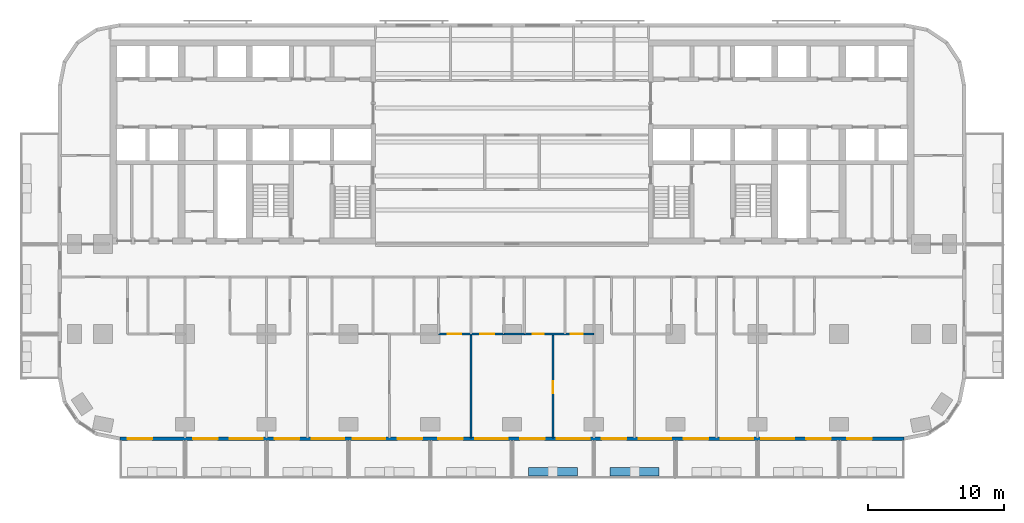
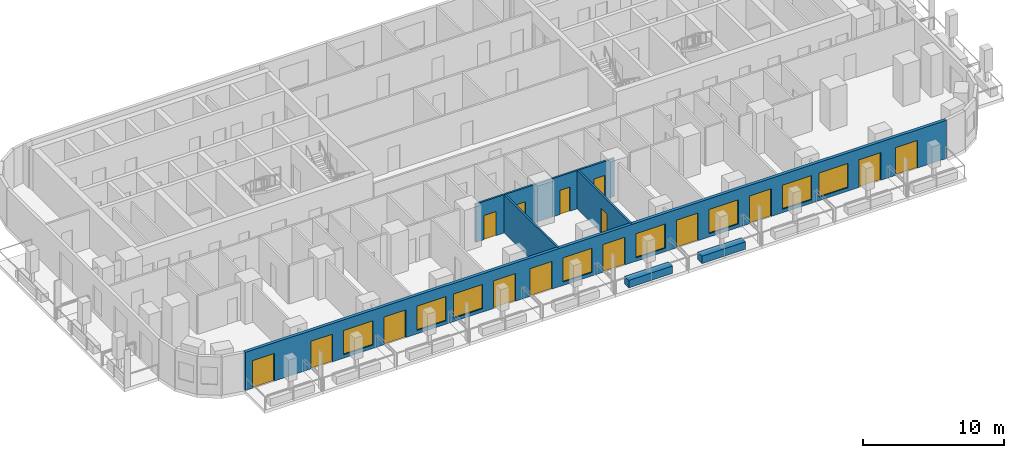
# One storey, part 5 of 14: 15 doors, 8 walls, 8 windows, 23 openings.
"""IFC4 building model written with IfcOpenShell, lengths in metres."""

from ifc_helpers import new_model, si_unit, direction, frame, frame_2d, origin, place, context, subcontext, project, spatial, rectangle, extrude, material, layer, layer_set, type_object, element, fill, save


model = new_model("IFC4")

# Units and contexts
model_context = context("Model", 3, precision=1e-05, world=origin(), true_north=direction((0.0, 1.0)))
body_context = subcontext(model_context, "Body", "Model", "MODEL_VIEW")
ifc_project = project(units=[si_unit("LENGTHUNIT", "METRE"), si_unit("AREAUNIT", "SQUARE_METRE"), si_unit("VOLUMEUNIT", "CUBIC_METRE"), si_unit("PLANEANGLEUNIT", "RADIAN"), si_unit("MASSUNIT", "GRAM", prefix="KILO")], contexts=[model_context])

# Site, building, storey
site_placement = place(None, origin())
site = spatial("IfcSite", under=ifc_project, at=site_placement, CompositionType="ELEMENT")
building_placement = place(site_placement, origin())
building = spatial("IfcBuilding", under=site, at=building_placement, Name="Torana Hotel and Residences", CompositionType="ELEMENT")
storey_placement = place(building_placement, frame((0.0, 0.0, 85.199951171875)))
storey = spatial("IfcBuildingStorey", under=building, at=storey_placement, Name="L21", CompositionType="ELEMENT", Elevation=85.199951171875)

# Wall, openings, doors, windows
ifc_material_1 = material(Name="Black aluminium composite panel", Category="aluminium")
ifc_layer_1 = layer(ifc_material_1, 0.00390625, Name="Cladding", Category="cladding")
ifc_material_2 = material(Name="Ventilated air cavity")
ifc_layer_2 = layer(ifc_material_2, 0.0400390625, Name="Ventilated cavity", Category="cavity")
ifc_material_3 = material(Name="Mineral wool insulation")
ifc_layer_3 = layer(ifc_material_3, 0.090087890625, Name="Insulation", Category="insulation")
ifc_material_4 = material(Name="Steel S280GD", Category="steel")
ifc_layer_4 = layer(ifc_material_4, 0.092041015625, Name="Steel stud frame", Category="structure")
ifc_material_5 = material(Name="Fire rated plasterboard")
ifc_layer_5 = layer(ifc_material_5, 0.011962890625, Name="Inner board", Category="finish")
ifc_layer_6 = layer(ifc_material_5, 0.011962890625, Name="Second board", Category="finish")
ifc_layer_set_1 = layer_set([ifc_layer_1, ifc_layer_2, ifc_layer_3, ifc_layer_4, ifc_layer_5, ifc_layer_6], Name="EW1 EXTERNAL WALL BLACK METAL CLAD 250")
wall_type_1 = type_object("IfcWallType", Name="EW1 EXTERNAL WALL BLACK METAL CLAD 250", PredefinedType="SOLIDWALL", material=ifc_layer_set_1)
wall_1_placement = place(storey_placement, frame((-28.775390625, -29.27490234375, 0.0), z_axis=(0.0, 0.0, 1.0), x_axis=(1.0, 0.0, 0.0)))
wall_1 = element("IfcWall", 1, at=wall_1_placement, inside=storey, type_object=wall_type_1, Name="External wall L21 e0.14", PredefinedType="SOLIDWALL", context=body_context, shape_type="SweptSolid", body=[
    extrude(rectangle(XDim=57.55078125, YDim=0.25, at=frame_2d((28.775390625, 0.0))), origin(), (0.0, 0.0, 1.0), 3.320068359375),
])
opening_1_placement = place(wall_1_placement, frame((0.575439453125, 0.0, 0.0)))
opening_1 = element("IfcOpeningElement", 2, at=opening_1_placement, cuts=wall_1, Name="Opening L21-E01", PredefinedType="OPENING", context=body_context, shape_type="SweptSolid", body=[
    extrude(rectangle(XDim=1.800048828125, YDim=2.39990234375, at=frame_2d((0.89990234375, 1.199951171875))), frame((0.0, 0.135009765625, 0.0), z_axis=(0.0, -1.0, 0.0), x_axis=(1.0, 0.0, 0.0)), (0.0, 0.0, 1.0), 0.27001953125),
])
opening_2_placement = place(wall_1_placement, frame((5.37548828125, 0.0, 0.0)))
opening_2 = element("IfcOpeningElement", 3, at=opening_2_placement, cuts=wall_1, Name="Opening L21-E02", PredefinedType="OPENING", context=body_context, shape_type="SweptSolid", body=[
    extrude(rectangle(XDim=1.800048828125, YDim=2.39990234375, at=frame_2d((0.89990234375, 1.199951171875))), frame((0.0, 0.135009765625, 0.0), z_axis=(0.0, -1.0, 0.0), x_axis=(1.0, 0.0, 0.0)), (0.0, 0.0, 1.0), 0.27001953125),
])
opening_3_placement = place(wall_1_placement, frame((8.075439453125, 0.0, 0.300048828125)))
opening_3 = element("IfcOpeningElement", 4, at=opening_3_placement, cuts=wall_1, Name="Opening W1", PredefinedType="OPENING", context=body_context, shape_type="SweptSolid", body=[
    extrude(rectangle(XDim=2.39990234375, YDim=2.10009765625, at=frame_2d((1.199951171875, 1.050048828125))), frame((0.0, 0.135009765625, 0.0), z_axis=(0.0, -1.0, 0.0), x_axis=(1.0, 0.0, 0.0)), (0.0, 0.0, 1.0), 0.27001953125),
])
opening_4_placement = place(wall_1_placement, frame((11.37548828125, 0.0, 0.0)))
opening_4 = element("IfcOpeningElement", 5, at=opening_4_placement, cuts=wall_1, Name="Opening L21-E03", PredefinedType="OPENING", context=body_context, shape_type="SweptSolid", body=[
    extrude(rectangle(XDim=1.800048828125, YDim=2.39990234375, at=frame_2d((0.89990234375, 1.199951171875))), frame((0.0, 0.135009765625, 0.0), z_axis=(0.0, -1.0, 0.0), x_axis=(1.0, 0.0, 0.0)), (0.0, 0.0, 1.0), 0.27001953125),
])
opening_5_placement = place(wall_1_placement, frame((14.075439453125, 0.0, 0.300048828125)))
opening_5 = element("IfcOpeningElement", 6, at=opening_5_placement, cuts=wall_1, Name="Opening W1", PredefinedType="OPENING", context=body_context, shape_type="SweptSolid", body=[
    extrude(rectangle(XDim=2.39990234375, YDim=2.10009765625, at=frame_2d((1.199951171875, 1.050048828125))), frame((0.0, 0.135009765625, 0.0), z_axis=(0.0, -1.0, 0.0), x_axis=(1.0, 0.0, 0.0)), (0.0, 0.0, 1.0), 0.27001953125),
])
opening_6_placement = place(wall_1_placement, frame((17.075439453125, 0.0, 0.300048828125)))
opening_6 = element("IfcOpeningElement", 7, at=opening_6_placement, cuts=wall_1, Name="Opening W1", PredefinedType="OPENING", context=body_context, shape_type="SweptSolid", body=[
    extrude(rectangle(XDim=2.39990234375, YDim=2.10009765625, at=frame_2d((1.199951171875, 1.050048828125))), frame((0.0, 0.135009765625, 0.0), z_axis=(0.0, -1.0, 0.0), x_axis=(1.0, 0.0, 0.0)), (0.0, 0.0, 1.0), 0.27001953125),
])
opening_7_placement = place(wall_1_placement, frame((20.37548828125, 0.0, 0.0)))
opening_7 = element("IfcOpeningElement", 8, at=opening_7_placement, cuts=wall_1, Name="Opening L21-E04", PredefinedType="OPENING", context=body_context, shape_type="SweptSolid", body=[
    extrude(rectangle(XDim=1.800048828125, YDim=2.39990234375, at=frame_2d((0.89990234375, 1.199951171875))), frame((0.0, 0.135009765625, 0.0), z_axis=(0.0, -1.0, 0.0), x_axis=(1.0, 0.0, 0.0)), (0.0, 0.0, 1.0), 0.27001953125),
])
opening_8_placement = place(wall_1_placement, frame((23.37548828125, 0.0, 0.0)))
opening_8 = element("IfcOpeningElement", 9, at=opening_8_placement, cuts=wall_1, Name="Opening L21-E05", PredefinedType="OPENING", context=body_context, shape_type="SweptSolid", body=[
    extrude(rectangle(XDim=1.800048828125, YDim=2.39990234375, at=frame_2d((0.89990234375, 1.199951171875))), frame((0.0, 0.135009765625, 0.0), z_axis=(0.0, -1.0, 0.0), x_axis=(1.0, 0.0, 0.0)), (0.0, 0.0, 1.0), 0.27001953125),
])
opening_9_placement = place(wall_1_placement, frame((26.075439453125, 0.0, 0.300048828125)))
opening_9 = element("IfcOpeningElement", 10, at=opening_9_placement, cuts=wall_1, Name="Opening W1", PredefinedType="OPENING", context=body_context, shape_type="SweptSolid", body=[
    extrude(rectangle(XDim=2.39990234375, YDim=2.10009765625, at=frame_2d((1.199951171875, 1.050048828125))), frame((0.0, 0.135009765625, 0.0), z_axis=(0.0, -1.0, 0.0), x_axis=(1.0, 0.0, 0.0)), (0.0, 0.0, 1.0), 0.27001953125),
])
opening_10_placement = place(wall_1_placement, frame((29.37548828125, 0.0, 0.0)))
opening_10 = element("IfcOpeningElement", 11, at=opening_10_placement, cuts=wall_1, Name="Opening L21-E06", PredefinedType="OPENING", context=body_context, shape_type="SweptSolid", body=[
    extrude(rectangle(XDim=1.800048828125, YDim=2.39990234375, at=frame_2d((0.89990234375, 1.199951171875))), frame((0.0, 0.135009765625, 0.0), z_axis=(0.0, -1.0, 0.0), x_axis=(1.0, 0.0, 0.0)), (0.0, 0.0, 1.0), 0.27001953125),
])
opening_11_placement = place(wall_1_placement, frame((32.075439453125, 0.0, 0.300048828125)))
opening_11 = element("IfcOpeningElement", 12, at=opening_11_placement, cuts=wall_1, Name="Opening W1", PredefinedType="OPENING", context=body_context, shape_type="SweptSolid", body=[
    extrude(rectangle(XDim=2.39990234375, YDim=2.10009765625, at=frame_2d((1.199951171875, 1.050048828125))), frame((0.0, 0.135009765625, 0.0), z_axis=(0.0, -1.0, 0.0), x_axis=(1.0, 0.0, 0.0)), (0.0, 0.0, 1.0), 0.27001953125),
])
opening_12_placement = place(wall_1_placement, frame((35.37548828125, 0.0, 0.0)))
opening_12 = element("IfcOpeningElement", 13, at=opening_12_placement, cuts=wall_1, Name="Opening L21-E07", PredefinedType="OPENING", context=body_context, shape_type="SweptSolid", body=[
    extrude(rectangle(XDim=1.800048828125, YDim=2.39990234375, at=frame_2d((0.89990234375, 1.199951171875))), frame((0.0, 0.135009765625, 0.0), z_axis=(0.0, -1.0, 0.0), x_axis=(1.0, 0.0, 0.0)), (0.0, 0.0, 1.0), 0.27001953125),
])
opening_13_placement = place(wall_1_placement, frame((38.075439453125, 0.0, 0.300048828125)))
opening_13 = element("IfcOpeningElement", 14, at=opening_13_placement, cuts=wall_1, Name="Opening W1", PredefinedType="OPENING", context=body_context, shape_type="SweptSolid", body=[
    extrude(rectangle(XDim=2.39990234375, YDim=2.10009765625, at=frame_2d((1.199951171875, 1.050048828125))), frame((0.0, 0.135009765625, 0.0), z_axis=(0.0, -1.0, 0.0), x_axis=(1.0, 0.0, 0.0)), (0.0, 0.0, 1.0), 0.27001953125),
])
opening_14_placement = place(wall_1_placement, frame((41.37548828125, 0.0, 0.0)))
opening_14 = element("IfcOpeningElement", 15, at=opening_14_placement, cuts=wall_1, Name="Opening L21-E08", PredefinedType="OPENING", context=body_context, shape_type="SweptSolid", body=[
    extrude(rectangle(XDim=1.800048828125, YDim=2.39990234375, at=frame_2d((0.89990234375, 1.199951171875))), frame((0.0, 0.135009765625, 0.0), z_axis=(0.0, -1.0, 0.0), x_axis=(1.0, 0.0, 0.0)), (0.0, 0.0, 1.0), 0.27001953125),
])
opening_15_placement = place(wall_1_placement, frame((44.075439453125, 0.0, 0.300048828125)))
opening_15 = element("IfcOpeningElement", 16, at=opening_15_placement, cuts=wall_1, Name="Opening W1", PredefinedType="OPENING", context=body_context, shape_type="SweptSolid", body=[
    extrude(rectangle(XDim=2.39990234375, YDim=2.10009765625, at=frame_2d((1.199951171875, 1.050048828125))), frame((0.0, 0.135009765625, 0.0), z_axis=(0.0, -1.0, 0.0), x_axis=(1.0, 0.0, 0.0)), (0.0, 0.0, 1.0), 0.27001953125),
])
opening_16_placement = place(wall_1_placement, frame((47.075439453125, 0.0, 0.300048828125)))
opening_16 = element("IfcOpeningElement", 17, at=opening_16_placement, cuts=wall_1, Name="Opening W1", PredefinedType="OPENING", context=body_context, shape_type="SweptSolid", body=[
    extrude(rectangle(XDim=2.39990234375, YDim=2.10009765625, at=frame_2d((1.199951171875, 1.050048828125))), frame((0.0, 0.135009765625, 0.0), z_axis=(0.0, -1.0, 0.0), x_axis=(1.0, 0.0, 0.0)), (0.0, 0.0, 1.0), 0.27001953125),
])
opening_17_placement = place(wall_1_placement, frame((50.37548828125, 0.0, 0.0)))
opening_17 = element("IfcOpeningElement", 18, at=opening_17_placement, cuts=wall_1, Name="Opening L21-E09", PredefinedType="OPENING", context=body_context, shape_type="SweptSolid", body=[
    extrude(rectangle(XDim=1.800048828125, YDim=2.39990234375, at=frame_2d((0.89990234375, 1.199951171875))), frame((0.0, 0.135009765625, 0.0), z_axis=(0.0, -1.0, 0.0), x_axis=(1.0, 0.0, 0.0)), (0.0, 0.0, 1.0), 0.27001953125),
])
opening_18_placement = place(wall_1_placement, frame((53.37548828125, 0.0, 0.0)))
opening_18 = element("IfcOpeningElement", 19, at=opening_18_placement, cuts=wall_1, Name="Opening L21-E10", PredefinedType="OPENING", context=body_context, shape_type="SweptSolid", body=[
    extrude(rectangle(XDim=1.800048828125, YDim=2.39990234375, at=frame_2d((0.89990234375, 1.199951171875))), frame((0.0, 0.135009765625, 0.0), z_axis=(0.0, -1.0, 0.0), x_axis=(1.0, 0.0, 0.0)), (0.0, 0.0, 1.0), 0.27001953125),
])
ifc_material_6 = material(Name="Dark glass in black aluminium frame", Category="aluminium")
door_type_1 = type_object("IfcDoorType", Name="DB1 BALCONY DOOR 1800x2400", OperationType="DOUBLE_DOOR_SINGLE_SWING", PredefinedType="DOOR", material=ifc_material_6)
door_1_placement = place(opening_1_placement, origin())
door_1 = element("IfcDoor", 20, at=door_1_placement, inside=storey, type_object=door_type_1, Name="Balcony door L21", OperationType="DOUBLE_DOOR_SINGLE_SWING", OverallHeight=2.39990234375, OverallWidth=1.800048828125, PredefinedType="DOOR", context=body_context, shape_type="SweptSolid", body=[
    extrude(rectangle(XDim=1.800048828125, YDim=2.39990234375, at=frame_2d((0.89990234375, 1.199951171875))), frame((0.0, 0.02490234375, 0.0), z_axis=(0.0, -1.0, 0.0), x_axis=(1.0, 0.0, 0.0)), (0.0, 0.0, 1.0), 0.050048828125),
])
fill(opening_1, door_1)
door_2_placement = place(opening_2_placement, frame((0.89990234375, 0.0, 0.0), z_axis=(0.0, 0.0, 1.0), x_axis=(-1.0, 0.0, 0.0)))
door_2 = element("IfcDoor", 21, at=door_2_placement, inside=storey, type_object=door_type_1, Name="Balcony door L21", OperationType="DOUBLE_DOOR_SINGLE_SWING", OverallHeight=2.39990234375, OverallWidth=1.800048828125, PredefinedType="DOOR", context=body_context, shape_type="SweptSolid", body=[
    extrude(rectangle(XDim=1.800048828125, YDim=2.39990234375, at=frame_2d((0.0, 1.199951171875))), frame((0.0, -0.02490234375, 0.0), z_axis=(0.0, 1.0, 0.0), x_axis=(-1.0, 0.0, 0.0)), (0.0, 0.0, 1.0), 0.050048828125),
])
fill(opening_2, door_2)
door_3_placement = place(opening_4_placement, frame((0.89990234375, 0.0, 0.0), z_axis=(0.0, 0.0, 1.0), x_axis=(-1.0, 0.0, 0.0)))
door_3 = element("IfcDoor", 22, at=door_3_placement, inside=storey, type_object=door_type_1, Name="Balcony door L21", OperationType="DOUBLE_DOOR_SINGLE_SWING", OverallHeight=2.39990234375, OverallWidth=1.800048828125, PredefinedType="DOOR", context=body_context, shape_type="SweptSolid", body=[
    extrude(rectangle(XDim=1.800048828125, YDim=2.39990234375, at=frame_2d((0.0, 1.199951171875))), frame((0.0, -0.02490234375, 0.0), z_axis=(0.0, 1.0, 0.0), x_axis=(-1.0, 0.0, 0.0)), (0.0, 0.0, 1.0), 0.050048828125),
])
fill(opening_4, door_3)
door_4_placement = place(opening_7_placement, frame((0.89990234375, 0.0, 0.0), z_axis=(0.0, 0.0, 1.0), x_axis=(-1.0, 0.0, 0.0)))
door_4 = element("IfcDoor", 23, at=door_4_placement, inside=storey, type_object=door_type_1, Name="Balcony door L21", OperationType="DOUBLE_DOOR_SINGLE_SWING", OverallHeight=2.39990234375, OverallWidth=1.800048828125, PredefinedType="DOOR", context=body_context, shape_type="SweptSolid", body=[
    extrude(rectangle(XDim=1.800048828125, YDim=2.39990234375, at=frame_2d((0.0, 1.199951171875))), frame((0.0, -0.02490234375, 0.0), z_axis=(0.0, 1.0, 0.0), x_axis=(-1.0, 0.0, 0.0)), (0.0, 0.0, 1.0), 0.050048828125),
])
fill(opening_7, door_4)
door_5_placement = place(opening_8_placement, frame((0.89990234375, 0.0, 0.0), z_axis=(0.0, 0.0, 1.0), x_axis=(-1.0, 0.0, 0.0)))
door_5 = element("IfcDoor", 24, at=door_5_placement, inside=storey, type_object=door_type_1, Name="Balcony door L21", OperationType="DOUBLE_DOOR_SINGLE_SWING", OverallHeight=2.39990234375, OverallWidth=1.800048828125, PredefinedType="DOOR", context=body_context, shape_type="SweptSolid", body=[
    extrude(rectangle(XDim=1.800048828125, YDim=2.39990234375, at=frame_2d((0.0, 1.199951171875))), frame((0.0, -0.02490234375, 0.0), z_axis=(0.0, 1.0, 0.0), x_axis=(-1.0, 0.0, 0.0)), (0.0, 0.0, 1.0), 0.050048828125),
])
fill(opening_8, door_5)
door_6_placement = place(opening_10_placement, frame((0.89990234375, 0.0, 0.0), z_axis=(0.0, 0.0, 1.0), x_axis=(-1.0, 0.0, 0.0)))
door_6 = element("IfcDoor", 25, at=door_6_placement, inside=storey, type_object=door_type_1, Name="Balcony door L21", OperationType="DOUBLE_DOOR_SINGLE_SWING", OverallHeight=2.39990234375, OverallWidth=1.800048828125, PredefinedType="DOOR", context=body_context, shape_type="SweptSolid", body=[
    extrude(rectangle(XDim=1.800048828125, YDim=2.39990234375, at=frame_2d((0.0, 1.199951171875))), frame((0.0, -0.02490234375, 0.0), z_axis=(0.0, 1.0, 0.0), x_axis=(-1.0, 0.0, 0.0)), (0.0, 0.0, 1.0), 0.050048828125),
])
fill(opening_10, door_6)
door_7_placement = place(opening_12_placement, frame((0.89990234375, 0.0, 0.0), z_axis=(0.0, 0.0, 1.0), x_axis=(-1.0, 0.0, 0.0)))
door_7 = element("IfcDoor", 26, at=door_7_placement, inside=storey, type_object=door_type_1, Name="Balcony door L21", OperationType="DOUBLE_DOOR_SINGLE_SWING", OverallHeight=2.39990234375, OverallWidth=1.800048828125, PredefinedType="DOOR", context=body_context, shape_type="SweptSolid", body=[
    extrude(rectangle(XDim=1.800048828125, YDim=2.39990234375, at=frame_2d((0.0, 1.199951171875))), frame((0.0, -0.02490234375, 0.0), z_axis=(0.0, 1.0, 0.0), x_axis=(-1.0, 0.0, 0.0)), (0.0, 0.0, 1.0), 0.050048828125),
])
fill(opening_12, door_7)
door_8_placement = place(opening_14_placement, frame((0.89990234375, 0.0, 0.0), z_axis=(0.0, 0.0, 1.0), x_axis=(-1.0, 0.0, 0.0)))
door_8 = element("IfcDoor", 27, at=door_8_placement, inside=storey, type_object=door_type_1, Name="Balcony door L21", OperationType="DOUBLE_DOOR_SINGLE_SWING", OverallHeight=2.39990234375, OverallWidth=1.800048828125, PredefinedType="DOOR", context=body_context, shape_type="SweptSolid", body=[
    extrude(rectangle(XDim=1.800048828125, YDim=2.39990234375, at=frame_2d((0.0, 1.199951171875))), frame((0.0, -0.02490234375, 0.0), z_axis=(0.0, 1.0, 0.0), x_axis=(-1.0, 0.0, 0.0)), (0.0, 0.0, 1.0), 0.050048828125),
])
fill(opening_14, door_8)
door_9_placement = place(opening_17_placement, frame((0.89990234375, 0.0, 0.0), z_axis=(0.0, 0.0, 1.0), x_axis=(-1.0, 0.0, 0.0)))
door_9 = element("IfcDoor", 28, at=door_9_placement, inside=storey, type_object=door_type_1, Name="Balcony door L21", OperationType="DOUBLE_DOOR_SINGLE_SWING", OverallHeight=2.39990234375, OverallWidth=1.800048828125, PredefinedType="DOOR", context=body_context, shape_type="SweptSolid", body=[
    extrude(rectangle(XDim=1.800048828125, YDim=2.39990234375, at=frame_2d((0.0, 1.199951171875))), frame((0.0, -0.02490234375, 0.0), z_axis=(0.0, 1.0, 0.0), x_axis=(-1.0, 0.0, 0.0)), (0.0, 0.0, 1.0), 0.050048828125),
])
fill(opening_17, door_9)
door_10_placement = place(opening_18_placement, frame((0.89990234375, 0.0, 0.0), z_axis=(0.0, 0.0, 1.0), x_axis=(-1.0, 0.0, 0.0)))
door_10 = element("IfcDoor", 29, at=door_10_placement, inside=storey, type_object=door_type_1, Name="Balcony door L21", OperationType="DOUBLE_DOOR_SINGLE_SWING", OverallHeight=2.39990234375, OverallWidth=1.800048828125, PredefinedType="DOOR", context=body_context, shape_type="SweptSolid", body=[
    extrude(rectangle(XDim=1.800048828125, YDim=2.39990234375, at=frame_2d((0.0, 1.199951171875))), frame((0.0, -0.02490234375, 0.0), z_axis=(0.0, 1.0, 0.0), x_axis=(-1.0, 0.0, 0.0)), (0.0, 0.0, 1.0), 0.050048828125),
])
fill(opening_18, door_10)
ifc_material_7 = material(Name="Dark glass in black aluminium frame", Category="aluminium")
window_type = type_object("IfcWindowType", Name="W1 HOTEL ROOM WINDOW 2400x2100", PartitioningType="SINGLE_PANEL", PredefinedType="WINDOW", material=ifc_material_7)
window_1_placement = place(opening_3_placement, origin())
window_1 = element("IfcWindow", 30, at=window_1_placement, inside=storey, type_object=window_type, Name="Window L21", OverallHeight=2.10009765625, OverallWidth=2.39990234375, PartitioningType="SINGLE_PANEL", PredefinedType="WINDOW", context=body_context, shape_type="SweptSolid", body=[
    extrude(rectangle(XDim=2.39990234375, YDim=2.10009765625, at=frame_2d((1.199951171875, 1.050048828125))), frame((0.0, 0.030029296875, 0.0), z_axis=(0.0, -1.0, 0.0), x_axis=(1.0, 0.0, 0.0)), (0.0, 0.0, 1.0), 0.06005859375),
])
fill(opening_3, window_1)
window_2_placement = place(opening_5_placement, origin())
window_2 = element("IfcWindow", 31, at=window_2_placement, inside=storey, type_object=window_type, Name="Window L21", OverallHeight=2.10009765625, OverallWidth=2.39990234375, PartitioningType="SINGLE_PANEL", PredefinedType="WINDOW", context=body_context, shape_type="SweptSolid", body=[
    extrude(rectangle(XDim=2.39990234375, YDim=2.10009765625, at=frame_2d((1.199951171875, 1.050048828125))), frame((0.0, 0.030029296875, 0.0), z_axis=(0.0, -1.0, 0.0), x_axis=(1.0, 0.0, 0.0)), (0.0, 0.0, 1.0), 0.06005859375),
])
fill(opening_5, window_2)
window_3_placement = place(opening_6_placement, origin())
window_3 = element("IfcWindow", 32, at=window_3_placement, inside=storey, type_object=window_type, Name="Window L21", OverallHeight=2.10009765625, OverallWidth=2.39990234375, PartitioningType="SINGLE_PANEL", PredefinedType="WINDOW", context=body_context, shape_type="SweptSolid", body=[
    extrude(rectangle(XDim=2.39990234375, YDim=2.10009765625, at=frame_2d((1.199951171875, 1.050048828125))), frame((0.0, 0.030029296875, 0.0), z_axis=(0.0, -1.0, 0.0), x_axis=(1.0, 0.0, 0.0)), (0.0, 0.0, 1.0), 0.06005859375),
])
fill(opening_6, window_3)
window_4_placement = place(opening_9_placement, origin())
window_4 = element("IfcWindow", 33, at=window_4_placement, inside=storey, type_object=window_type, Name="Window L21", OverallHeight=2.10009765625, OverallWidth=2.39990234375, PartitioningType="SINGLE_PANEL", PredefinedType="WINDOW", context=body_context, shape_type="SweptSolid", body=[
    extrude(rectangle(XDim=2.39990234375, YDim=2.10009765625, at=frame_2d((1.199951171875, 1.050048828125))), frame((0.0, 0.030029296875, 0.0), z_axis=(0.0, -1.0, 0.0), x_axis=(1.0, 0.0, 0.0)), (0.0, 0.0, 1.0), 0.06005859375),
])
fill(opening_9, window_4)
window_5_placement = place(opening_11_placement, origin())
window_5 = element("IfcWindow", 34, at=window_5_placement, inside=storey, type_object=window_type, Name="Window L21", OverallHeight=2.10009765625, OverallWidth=2.39990234375, PartitioningType="SINGLE_PANEL", PredefinedType="WINDOW", context=body_context, shape_type="SweptSolid", body=[
    extrude(rectangle(XDim=2.39990234375, YDim=2.10009765625, at=frame_2d((1.199951171875, 1.050048828125))), frame((0.0, 0.030029296875, 0.0), z_axis=(0.0, -1.0, 0.0), x_axis=(1.0, 0.0, 0.0)), (0.0, 0.0, 1.0), 0.06005859375),
])
fill(opening_11, window_5)
window_6_placement = place(opening_13_placement, origin())
window_6 = element("IfcWindow", 35, at=window_6_placement, inside=storey, type_object=window_type, Name="Window L21", OverallHeight=2.10009765625, OverallWidth=2.39990234375, PartitioningType="SINGLE_PANEL", PredefinedType="WINDOW", context=body_context, shape_type="SweptSolid", body=[
    extrude(rectangle(XDim=2.39990234375, YDim=2.10009765625, at=frame_2d((1.199951171875, 1.050048828125))), frame((0.0, 0.030029296875, 0.0), z_axis=(0.0, -1.0, 0.0), x_axis=(1.0, 0.0, 0.0)), (0.0, 0.0, 1.0), 0.06005859375),
])
fill(opening_13, window_6)
window_7_placement = place(opening_15_placement, origin())
window_7 = element("IfcWindow", 36, at=window_7_placement, inside=storey, type_object=window_type, Name="Window L21", OverallHeight=2.10009765625, OverallWidth=2.39990234375, PartitioningType="SINGLE_PANEL", PredefinedType="WINDOW", context=body_context, shape_type="SweptSolid", body=[
    extrude(rectangle(XDim=2.39990234375, YDim=2.10009765625, at=frame_2d((1.199951171875, 1.050048828125))), frame((0.0, 0.030029296875, 0.0), z_axis=(0.0, -1.0, 0.0), x_axis=(1.0, 0.0, 0.0)), (0.0, 0.0, 1.0), 0.06005859375),
])
fill(opening_15, window_7)
window_8_placement = place(opening_16_placement, origin())
window_8 = element("IfcWindow", 37, at=window_8_placement, inside=storey, type_object=window_type, Name="Window L21", OverallHeight=2.10009765625, OverallWidth=2.39990234375, PartitioningType="SINGLE_PANEL", PredefinedType="WINDOW", context=body_context, shape_type="SweptSolid", body=[
    extrude(rectangle(XDim=2.39990234375, YDim=2.10009765625, at=frame_2d((1.199951171875, 1.050048828125))), frame((0.0, 0.030029296875, 0.0), z_axis=(0.0, -1.0, 0.0), x_axis=(1.0, 0.0, 0.0)), (0.0, 0.0, 1.0), 0.06005859375),
])
fill(opening_16, window_8)

# Wall, openings, doors
ifc_material_8 = material(Name="Gypsum plaster")
ifc_layer_7 = layer(ifc_material_8, 0.014892578125, Name="Plaster", Category="finish")
ifc_material_9 = material(Name="Concrete blockwork", Category="masonry")
ifc_layer_8 = layer(ifc_material_9, 0.1201171875, Name="Blockwork", Category="structure")
ifc_layer_9 = layer(ifc_material_8, 0.014892578125, Name="Plaster", Category="finish")
ifc_layer_set_2 = layer_set([ifc_layer_7, ifc_layer_8, ifc_layer_9], Name="FIRE PARTITION 150 BLOCKWORK")
wall_type_2 = type_object("IfcWallType", Name="FIRE PARTITION 150 BLOCKWORK", PredefinedType="PARTITIONING", material=ifc_layer_set_2)
wall_2_placement = place(storey_placement, frame((-5.39990234375, -21.60009765625, 0.0), z_axis=(0.0, 0.0, 1.0), x_axis=(1.0, 0.0, 0.0)))
wall_2 = element("IfcWall", 38, at=wall_2_placement, inside=storey, type_object=wall_type_2, Name="Partition L21", PredefinedType="PARTITIONING", context=body_context, shape_type="SweptSolid", body=[
    extrude(rectangle(XDim=4.7998046875, YDim=0.14990234375, at=frame_2d((2.39990234375, 0.0))), origin(), (0.0, 0.0, 1.0), 3.320068359375),
])
opening_19_placement = place(wall_2_placement, frame((0.679931640625, 0.0, 0.0)))
opening_19 = element("IfcOpeningElement", 39, at=opening_19_placement, cuts=wall_2, Name="Opening L21-66", PredefinedType="OPENING", context=body_context, shape_type="SweptSolid", body=[
    extrude(rectangle(XDim=1.0, YDim=2.10009765625, at=frame_2d((0.5, 1.050048828125))), frame((0.0, 0.0849609375, 0.0), z_axis=(0.0, -1.0, 0.0), x_axis=(1.0, 0.0, 0.0)), (0.0, 0.0, 1.0), 0.169921875),
])
opening_20_placement = place(wall_2_placement, frame((3.080078125, 0.0, 0.0)))
opening_20 = element("IfcOpeningElement", 40, at=opening_20_placement, cuts=wall_2, Name="Opening L21-69", PredefinedType="OPENING", context=body_context, shape_type="SweptSolid", body=[
    extrude(rectangle(XDim=1.0, YDim=2.10009765625, at=frame_2d((0.5, 1.050048828125))), frame((0.0, 0.0849609375, 0.0), z_axis=(0.0, -1.0, 0.0), x_axis=(1.0, 0.0, 0.0)), (0.0, 0.0, 1.0), 0.169921875),
])
ifc_material_10 = material(Name="Steel S235", Category="steel")
door_type_2 = type_object("IfcDoorType", Name="ENTRY FIRE DOOR D6 1000x2100", OperationType="SINGLE_SWING_LEFT", PredefinedType="DOOR", material=ifc_material_10)
door_11_placement = place(opening_19_placement, frame((0.5, 0.0, 0.0), z_axis=(0.0, 0.0, 1.0), x_axis=(-1.0, 0.0, 0.0)))
door_11 = element("IfcDoor", 41, at=door_11_placement, inside=storey, type_object=door_type_2, Name="Door L21", OperationType="SINGLE_SWING_LEFT", OverallHeight=2.10009765625, OverallWidth=1.0, PredefinedType="DOOR", context=body_context, shape_type="SweptSolid", body=[
    extrude(rectangle(XDim=1.0, YDim=2.10009765625, at=frame_2d((0.0, 1.050048828125))), frame((0.0, -0.02490234375, 0.0), z_axis=(0.0, 1.0, 0.0), x_axis=(-1.0, 0.0, 0.0)), (0.0, 0.0, 1.0), 0.050048828125),
])
fill(opening_19, door_11)
door_12_placement = place(opening_20_placement, frame((0.5, 0.0, 0.0), z_axis=(0.0, 0.0, 1.0), x_axis=(-1.0, 0.0, 0.0)))
door_12 = element("IfcDoor", 42, at=door_12_placement, inside=storey, type_object=door_type_2, Name="Door L21", OperationType="SINGLE_SWING_LEFT", OverallHeight=2.10009765625, OverallWidth=1.0, PredefinedType="DOOR", context=body_context, shape_type="SweptSolid", body=[
    extrude(rectangle(XDim=1.0, YDim=2.10009765625, at=frame_2d((0.0, 1.050048828125))), frame((0.0, -0.02490234375, 0.0), z_axis=(0.0, 1.0, 0.0), x_axis=(-1.0, 0.0, 0.0)), (0.0, 0.0, 1.0), 0.050048828125),
])
fill(opening_20, door_12)

# Wall, opening, door
ifc_material_11 = material(Name="Gypsum plasterboard")
ifc_layer_10 = layer(ifc_material_11, 0.012451171875, Name="Plasterboard", Category="finish")
ifc_layer_11 = layer(ifc_material_11, 0.012451171875, Name="Plasterboard", Category="finish")
ifc_layer_12 = layer(ifc_material_4, 0.10009765625, Name="Steel studs with mineral wool", Category="insulation")
ifc_layer_13 = layer(ifc_material_11, 0.012451171875, Name="Plasterboard", Category="finish")
ifc_layer_14 = layer(ifc_material_11, 0.012451171875, Name="Plasterboard", Category="finish")
ifc_layer_set_3 = layer_set([ifc_layer_10, ifc_layer_11, ifc_layer_12, ifc_layer_13, ifc_layer_14], Name="PARTITION 150 PLASTERBOARD")
wall_type_3 = type_object("IfcWallType", Name="PARTITION 150 PLASTERBOARD", PredefinedType="PARTITIONING", material=ifc_layer_set_3)
wall_3_placement = place(storey_placement, frame((3.0, -29.219970703125, 0.0), z_axis=(0.0, 0.0, 1.0), x_axis=(0.0, 1.0, 0.0)))
wall_3 = element("IfcWall", 43, at=wall_3_placement, inside=storey, type_object=wall_type_3, Name="Partition L21", PredefinedType="PARTITIONING", context=body_context, shape_type="SweptSolid", body=[
    extrude(rectangle(XDim=7.619873046875, YDim=0.14990234375, at=frame_2d((3.81005859375, 0.0))), origin(), (0.0, 0.0, 1.0), 3.320068359375),
])
opening_21_placement = place(wall_3_placement, frame((3.27001953125, 0.0, 0.0)))
opening_21 = element("IfcOpeningElement", 44, at=opening_21_placement, cuts=wall_3, Name="Opening L21-72", PredefinedType="OPENING", context=body_context, shape_type="SweptSolid", body=[
    extrude(rectangle(XDim=0.89990234375, YDim=2.10009765625, at=frame_2d((0.449951171875, 1.050048828125))), frame((0.0, 0.0849609375, 0.0), z_axis=(0.0, -1.0, 0.0), x_axis=(1.0, 0.0, 0.0)), (0.0, 0.0, 1.0), 0.169921875),
])
ifc_material_12 = material(Name="Timber door, oiled ash", Category="wood")
door_type_3 = type_object("IfcDoorType", Name="ROOM DOOR D7 900x2100", OperationType="SINGLE_SWING_LEFT", PredefinedType="DOOR", material=ifc_material_12)
door_13_placement = place(opening_21_placement, origin())
door_13 = element("IfcDoor", 45, at=door_13_placement, inside=storey, type_object=door_type_3, Name="Door L21", OperationType="SINGLE_SWING_RIGHT", OverallHeight=2.10009765625, OverallWidth=0.89990234375, PredefinedType="DOOR", context=body_context, shape_type="SweptSolid", body=[
    extrude(rectangle(XDim=0.89990234375, YDim=2.10009765625, at=frame_2d((0.449951171875, 1.050048828125))), frame((0.0, 0.02490234375, 0.0), z_axis=(0.0, -1.0, 0.0), x_axis=(1.0, 0.0, 0.0)), (0.0, 0.0, 1.0), 0.050048828125),
])
fill(opening_21, door_13)

# Wall
wall_4_placement = place(storey_placement, frame((-3.0, -29.219970703125, 0.0), z_axis=(0.0, 0.0, 1.0), x_axis=(0.0, 1.0, 0.0)))
element("IfcWall", 46, at=wall_4_placement, inside=storey, type_object=wall_type_3, Name="Partition L21", PredefinedType="PARTITIONING", context=body_context, shape_type="SweptSolid", body=[
    extrude(rectangle(XDim=7.619873046875, YDim=0.14990234375, at=frame_2d((3.81005859375, 0.0))), origin(), (0.0, 0.0, 1.0), 3.320068359375),
])

# Wall, openings, doors
wall_5_placement = place(storey_placement, frame((0.89990234375, -21.60009765625, 0.0), z_axis=(0.0, 0.0, 1.0), x_axis=(1.0, 0.0, 0.0)))
wall_5 = element("IfcWall", 47, at=wall_5_placement, inside=storey, type_object=wall_type_3, Name="Partition L21", PredefinedType="PARTITIONING", context=body_context, shape_type="SweptSolid", body=[
    extrude(rectangle(XDim=5.10009765625, YDim=0.14990234375, at=frame_2d((2.550048828125, 0.0))), origin(), (0.0, 0.0, 1.0), 3.320068359375),
])
opening_22_placement = place(wall_5_placement, frame((0.6298828125, 0.0, 0.0)))
opening_22 = element("IfcOpeningElement", 48, at=opening_22_placement, cuts=wall_5, Name="Opening L21-70", PredefinedType="OPENING", context=body_context, shape_type="SweptSolid", body=[
    extrude(rectangle(XDim=0.800048828125, YDim=2.10009765625, at=frame_2d((0.39990234375, 1.050048828125))), frame((0.0, 0.0849609375, 0.0), z_axis=(0.0, -1.0, 0.0), x_axis=(1.0, 0.0, 0.0)), (0.0, 0.0, 1.0), 0.169921875),
])
opening_23_placement = place(wall_5_placement, frame((3.39990234375, 0.0, 0.0)))
opening_23 = element("IfcOpeningElement", 49, at=opening_23_placement, cuts=wall_5, Name="Opening L21-71", PredefinedType="OPENING", context=body_context, shape_type="SweptSolid", body=[
    extrude(rectangle(XDim=0.89990234375, YDim=2.10009765625, at=frame_2d((0.449951171875, 1.050048828125))), frame((0.0, 0.0849609375, 0.0), z_axis=(0.0, -1.0, 0.0), x_axis=(1.0, 0.0, 0.0)), (0.0, 0.0, 1.0), 0.169921875),
])
ifc_material_13 = material(Name="Timber door, painted", Category="wood")
door_type_4 = type_object("IfcDoorType", Name="BATH DOOR D13 800x2100", OperationType="SINGLE_SWING_LEFT", PredefinedType="DOOR", material=ifc_material_13)
door_14_placement = place(opening_22_placement, origin())
door_14 = element("IfcDoor", 50, at=door_14_placement, inside=storey, type_object=door_type_4, Name="Door L21", OperationType="SINGLE_SWING_RIGHT", OverallHeight=2.10009765625, OverallWidth=0.800048828125, PredefinedType="DOOR", context=body_context, shape_type="SweptSolid", body=[
    extrude(rectangle(XDim=0.800048828125, YDim=2.10009765625, at=frame_2d((0.39990234375, 1.050048828125))), frame((0.0, 0.02490234375, 0.0), z_axis=(0.0, -1.0, 0.0), x_axis=(1.0, 0.0, 0.0)), (0.0, 0.0, 1.0), 0.050048828125),
])
fill(opening_22, door_14)
door_15_placement = place(opening_23_placement, origin())
door_15 = element("IfcDoor", 51, at=door_15_placement, inside=storey, type_object=door_type_3, Name="Door L21", OperationType="SINGLE_SWING_LEFT", OverallHeight=2.10009765625, OverallWidth=0.89990234375, PredefinedType="DOOR", context=body_context, shape_type="SweptSolid", body=[
    extrude(rectangle(XDim=0.89990234375, YDim=2.10009765625, at=frame_2d((0.449951171875, 1.050048828125))), frame((0.0, 0.02490234375, 0.0), z_axis=(0.0, -1.0, 0.0), x_axis=(1.0, 0.0, 0.0)), (0.0, 0.0, 1.0), 0.050048828125),
])
fill(opening_23, door_15)

# Walls
ifc_material_14 = material(Name="Concrete C40/50 precast", Category="concrete")
ifc_layer_15 = layer(ifc_material_14, 0.10009765625, Name="Planter shell", Category="structure")
ifc_material_15 = material(Name="Root resistant membrane")
ifc_layer_16 = layer(ifc_material_15, 0.00390625, Name="Waterproofing membrane", Category="membrane")
ifc_material_16 = material(Name="Drainage board with filter fleece")
ifc_layer_17 = layer(ifc_material_16, 0.02001953125, Name="Drainage board", Category="drainage")
ifc_material_17 = material(Name="Growing medium")
ifc_layer_18 = layer(ifc_material_17, 0.47607421875, Name="Planting substrate", Category="soil")
ifc_layer_set_4 = layer_set([ifc_layer_15, ifc_layer_16, ifc_layer_17, ifc_layer_18], Name="PL1 BALCONY PLANTER 600")
wall_type_4 = type_object("IfcWallType", Name="PL1 BALCONY PLANTER 600", PredefinedType="USERDEFINED", material=ifc_layer_set_4)
for number, where, z_axis, x_axis, name in (
    (52, (4.800048828125, -31.699951171875, 0.0), (0.0, 0.0, 1.0), (-1.0, 0.0, 0.0), "Planter 06"),
    (53, (10.800048828125, -31.699951171875, 0.0), (0.0, 0.0, 1.0), (-1.0, 0.0, 0.0), "Planter 07"),
):
    element("IfcWall", number, at=place(storey_placement, frame(where, z_axis=z_axis, x_axis=x_axis)), inside=storey, type_object=wall_type_4, Name=name, ObjectType="PLANTER", PredefinedType="USERDEFINED", context=body_context, shape_type="SweptSolid", body=[
        extrude(rectangle(XDim=3.60009765625, YDim=0.60009765625, at=frame_2d((1.800048828125, 0.0))), origin(), (0.0, 0.0, 1.0), 0.650146484375),
    ])
ifc_material_18 = material(Name="Ceramic tile on adhesive")
ifc_layer_19 = layer(ifc_material_18, 0.010009765625, Name="Wall tile", Category="finish")
ifc_material_19 = material(Name="Cement render")
ifc_layer_20 = layer(ifc_material_19, 0.010009765625, Name="Render", Category="finish")
ifc_layer_21 = layer(ifc_material_9, 0.110107421875, Name="Blockwork", Category="structure")
ifc_layer_22 = layer(ifc_material_19, 0.010009765625, Name="Render", Category="finish")
ifc_layer_23 = layer(ifc_material_18, 0.010009765625, Name="Wall tile", Category="finish")
ifc_layer_set_5 = layer_set([ifc_layer_19, ifc_layer_20, ifc_layer_21, ifc_layer_22, ifc_layer_23], Name="WC PARTITION 150")
wall_type_5 = type_object("IfcWallType", Name="WC PARTITION 150", PredefinedType="PLUMBINGWALL", material=ifc_layer_set_5)
wall_6_placement = place(storey_placement, frame((-0.60009765625, -21.60009765625, 0.0), z_axis=(0.0, 0.0, 1.0), x_axis=(1.0, 0.0, 0.0)))
element("IfcWall", 54, at=wall_6_placement, inside=storey, type_object=wall_type_5, Name="Partition L21", PredefinedType="PLUMBINGWALL", context=body_context, shape_type="SweptSolid", body=[
    extrude(rectangle(XDim=1.5, YDim=0.14990234375, at=frame_2d((0.75, 0.0))), origin(), (0.0, 0.0, 1.0), 3.320068359375),
])

save(model, "model.ifc")
